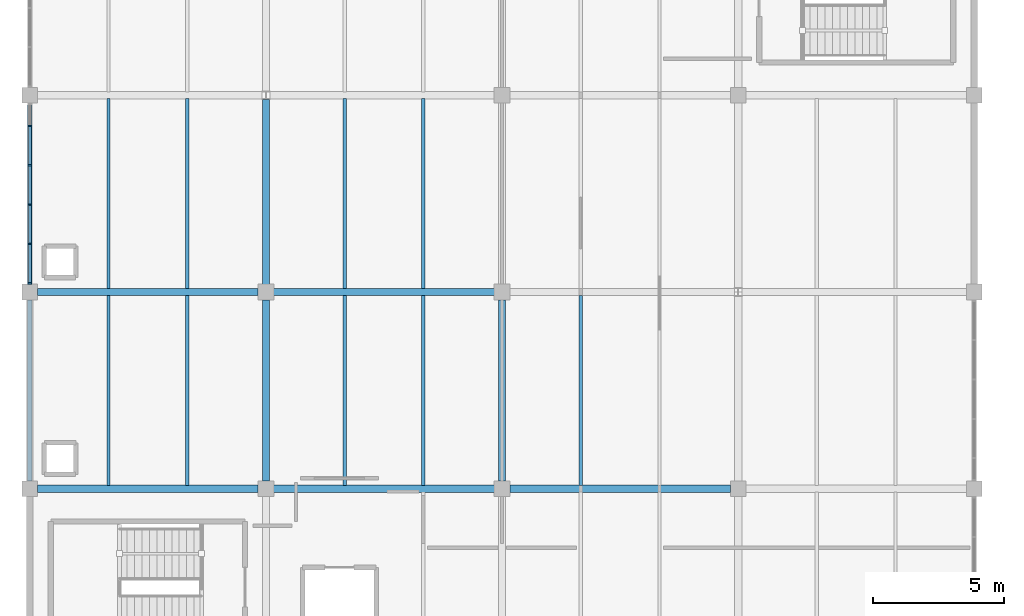
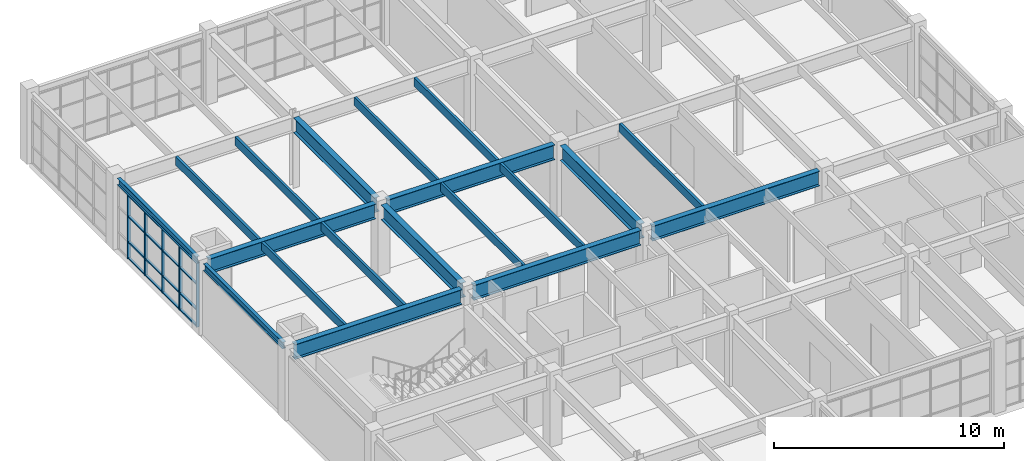
# One storey, part 32 of 76: 21 members, 19 beams, 1 element without a shape of its own.
"""IFC4 building model written with IfcOpenShell, lengths in metres."""

from ifc_helpers import new_model, si_unit, direction, frame, origin, origin_2d, place, context, subcontext, project, spatial, rectangle, i_section, extrude, material, layer, layer_set, material_profile, profile_set, type_object, element, aggregate, save


model = new_model("IFC4")

# Units and contexts
model_context = context("Model", 3, precision=1e-05, world=origin(), true_north=direction((0.0, 1.0)))
body_context = subcontext(model_context, "Body", "Model", "MODEL_VIEW")
ifc_project = project(units=[si_unit("LENGTHUNIT", "METRE"), si_unit("AREAUNIT", "SQUARE_METRE"), si_unit("VOLUMEUNIT", "CUBIC_METRE"), si_unit("PLANEANGLEUNIT", "RADIAN"), si_unit("MASSUNIT", "GRAM", prefix="KILO")], contexts=[model_context])

# Site, building, storey
site_placement = place(None, origin())
site = spatial("IfcSite", under=ifc_project, at=site_placement, CompositionType="ELEMENT")
building_placement = place(site_placement, origin())
building = spatial("IfcBuilding", under=site, at=building_placement, Name="Marnridge Secondary College", CompositionType="ELEMENT")
storey_placement = place(building_placement, frame((0.0, 0.0, 4.5)))
storey = spatial("IfcBuildingStorey", under=building, at=storey_placement, Name="L01", CompositionType="ELEMENT", Elevation=4.5)

# Beams
ifc_material_1 = material(Name="Engineered timber LVL E13.2", Category="wood")
ifc_material_profile_1 = material_profile(ifc_material_1, rectangle(XDim=0.1259765625, YDim=0.449951171875, at=origin_2d()), Name="LVL 126x450")
ifc_profile_set_1 = profile_set([ifc_material_profile_1], Name="Engineered timber LVL E13.2")
beam_type_1 = type_object("IfcBeamType", Name="BM-LVL450-INT", PredefinedType="JOIST", material=ifc_profile_set_1)
for number, where, z_axis, x_axis, name in (
    (1, (3.0, 97.631591796875, 3.534912109375), (0.0, 1.0, 0.0), (-1.0, 0.0, 0.0), "Beam BJ-L01-0618"),
    (2, (6.0, 97.631591796875, 3.534912109375), (0.0, 1.0, 0.0), (-1.0, 0.0, 0.0), "Beam BJ-L01-0619"),
    (3, (3.0, 105.131591796875, 3.534912109375), (0.0, 1.0, 0.0), (-1.0, 0.0, 0.0), "Beam BJ-L01-0620"),
    (4, (6.0, 105.131591796875, 3.534912109375), (0.0, 1.0, 0.0), (-1.0, 0.0, 0.0), "Beam BJ-L01-0621"),
    (5, (12.0, 97.631591796875, 3.534912109375), (0.0, 1.0, 0.0), (-1.0, 0.0, 0.0), "Beam BJ-L01-0627"),
    (6, (15.0, 97.631591796875, 3.534912109375), (0.0, 1.0, 0.0), (-1.0, 0.0, 0.0), "Beam BJ-L01-0628"),
    (7, (12.0, 105.131591796875, 3.534912109375), (0.0, 1.0, 0.0), (-1.0, 0.0, 0.0), "Beam BJ-L01-0629"),
    (8, (15.0, 105.131591796875, 3.534912109375), (0.0, 1.0, 0.0), (-1.0, 0.0, 0.0), "Beam BJ-L01-0630"),
    (9, (21.0, 97.631591796875, 3.534912109375), (0.0, 1.0, 0.0), (-1.0, 0.0, 0.0), "Beam BJ-L01-0637"),
):
    element("IfcBeam", number, at=place(storey_placement, frame(where, z_axis=z_axis, x_axis=x_axis)), inside=storey, type_object=beam_type_1, Name=name, PredefinedType="JOIST", context=body_context, shape_type="SweptSolid", body=[
        extrude(rectangle(XDim=0.1259765625, YDim=0.449951171875, at=origin_2d()), origin(), (0.0, 0.0, 1.0), 7.23681640625),
    ])
ifc_material_2 = material(Name="Structural steel Grade 350 (AS/NZS 3679.1/.2, fy = 340-360 MPa)", Category="steel")
ifc_material_profile_2 = material_profile(ifc_material_2, i_section(OverallWidth=0.1708984375, OverallDepth=0.35205078125, WebThickness=0.0068359375, FlangeThickness=0.009765625, FilletRadius=0.011474609375, at=origin_2d()), Name="360UB44.7")
ifc_profile_set_2 = profile_set([ifc_material_profile_2], Name="Structural steel Grade 350 (AS/NZS 3679.1/.2, fy = 340-360 MPa)")
beam_type_2 = type_object("IfcBeamType", Name="BM-UB360-EXT", PredefinedType="SPANDREL", material=ifc_profile_set_2)
for number, where, z_axis, x_axis, name in (
    (10, (0.0, 97.7939453125, 3.583984375), (0.0, 1.0, 0.0), (-1.0, 0.0, 0.0), "Beam BS-L01-0570"),
    (11, (0.0, 105.2939453125, 3.583984375), (0.0, 1.0, 0.0), (-1.0, 0.0, 0.0), "Beam BS-L01-0573"),
):
    element("IfcBeam", number, at=place(storey_placement, frame(where, z_axis=z_axis, x_axis=x_axis)), inside=storey, type_object=beam_type_2, Name=name, PredefinedType="SPANDREL", context=body_context, shape_type="SweptSolid", body=[
        extrude(i_section(OverallWidth=0.1708984375, OverallDepth=0.35205078125, WebThickness=0.0068359375, FlangeThickness=0.009765625, FilletRadius=0.011474609375, at=origin_2d()), origin(), (0.0, 0.0, 1.0), 6.912109375),
    ])
ifc_material_3 = material(Name="Structural steel Grade 350 (AS/NZS 3679.1/.2, fy = 340-360 MPa)", Category="steel")
ifc_material_profile_3 = material_profile(ifc_material_3, i_section(OverallWidth=0.27490234375, OverallDepth=0.7919921875, WebThickness=0.010009765625, FlangeThickness=0.02001953125, at=origin_2d()), Name="800WB146")
ifc_profile_set_3 = profile_set([ifc_material_profile_3], Name="Structural steel Grade 350 (AS/NZS 3679.1/.2, fy = 340-360 MPa)")
beam_type_3 = type_object("IfcBeamType", Name="BM-WB800-INT", PredefinedType="BEAM", material=ifc_profile_set_3)
for number, where, z_axis, x_axis, name in (
    (12, (0.2939453125, 97.5, 3.364013671875), (1.0, 0.0, 0.0), (0.0, 1.0, 0.0), "Beam B-L01-0566"),
    (13, (0.2939453125, 105.0, 3.364013671875), (1.0, 0.0, 0.0), (0.0, 1.0, 0.0), "Beam B-L01-0569"),
):
    element("IfcBeam", number, at=place(storey_placement, frame(where, z_axis=z_axis, x_axis=x_axis)), inside=storey, type_object=beam_type_3, Name=name, PredefinedType="BEAM", context=body_context, shape_type="SweptSolid", body=[
        extrude(i_section(OverallWidth=0.27490234375, OverallDepth=0.7919921875, WebThickness=0.010009765625, FlangeThickness=0.02001953125, at=origin_2d()), origin(), (0.0, 0.0, 1.0), 8.412109375),
    ])
beam_1_placement = place(storey_placement, frame((9.0, 97.7939453125, 3.364013671875), z_axis=(0.0, 1.0, 0.0), x_axis=(-1.0, 0.0, 0.0)))
element("IfcBeam", 14, at=beam_1_placement, inside=storey, type_object=beam_type_3, Name="Beam B-L01-0571", PredefinedType="BEAM", context=body_context, shape_type="SweptSolid", body=[
    extrude(i_section(OverallWidth=0.27490234375, OverallDepth=0.7919921875, WebThickness=0.010009765625, FlangeThickness=0.02001953125, at=origin_2d()), origin(), (0.0, 0.0, 1.0), 6.912109375),
])
beam_2_placement = place(storey_placement, frame((9.0, 105.2939453125, 3.364013671875), z_axis=(0.0, 1.0, 0.0), x_axis=(-1.0, 0.0, 0.0)))
element("IfcBeam", 15, at=beam_2_placement, inside=storey, type_object=beam_type_3, Name="Beam B-L01-0574", PredefinedType="BEAM", context=body_context, shape_type="SweptSolid", body=[
    extrude(i_section(OverallWidth=0.27490234375, OverallDepth=0.7919921875, WebThickness=0.010009765625, FlangeThickness=0.02001953125, at=origin_2d()), origin(), (0.0, 0.0, 1.0), 7.0517578125),
])
for number, where, z_axis, x_axis, name in (
    (16, (9.2939453125, 97.5, 3.364013671875), (1.0, 0.0, 0.0), (0.0, 1.0, 0.0), "Beam B-L01-0581"),
    (17, (9.2939453125, 105.0, 3.364013671875), (1.0, 0.0, 0.0), (0.0, 1.0, 0.0), "Beam B-L01-0583"),
):
    element("IfcBeam", number, at=place(storey_placement, frame(where, z_axis=z_axis, x_axis=x_axis)), inside=storey, type_object=beam_type_3, Name=name, PredefinedType="BEAM", context=body_context, shape_type="SweptSolid", body=[
        extrude(i_section(OverallWidth=0.27490234375, OverallDepth=0.7919921875, WebThickness=0.010009765625, FlangeThickness=0.02001953125, at=origin_2d()), origin(), (0.0, 0.0, 1.0), 8.412109375),
    ])
beam_3_placement = place(storey_placement, frame((18.0, 97.7939453125, 3.364013671875), z_axis=(0.0, 1.0, 0.0), x_axis=(-1.0, 0.0, 0.0)))
element("IfcBeam", 18, at=beam_3_placement, inside=storey, type_object=beam_type_3, Name="Beam B-L01-0584", PredefinedType="BEAM", context=body_context, shape_type="SweptSolid", body=[
    extrude(i_section(OverallWidth=0.27490234375, OverallDepth=0.7919921875, WebThickness=0.010009765625, FlangeThickness=0.02001953125, at=origin_2d()), origin(), (0.0, 0.0, 1.0), 6.912109375),
])
beam_4_placement = place(storey_placement, frame((18.2939453125, 97.5, 3.364013671875), z_axis=(1.0, 0.0, 0.0), x_axis=(0.0, 1.0, 0.0)))
element("IfcBeam", 19, at=beam_4_placement, inside=storey, type_object=beam_type_3, Name="Beam B-L01-0592", PredefinedType="BEAM", context=body_context, shape_type="SweptSolid", body=[
    extrude(i_section(OverallWidth=0.27490234375, OverallDepth=0.7919921875, WebThickness=0.010009765625, FlangeThickness=0.02001953125, at=origin_2d()), origin(), (0.0, 0.0, 1.0), 8.412109375),
])

# Curtain wall, members
ifc_material_4 = material(Name="Thermally broken aluminium and low-E glazing", Category="aluminium")
ifc_layer = layer(ifc_material_4, 0.159912109375)
ifc_layer_set = layer_set([ifc_layer], Name="CW-MOD-1500")
curtain_wall_type = type_object("IfcCurtainWallType", Name="CW-MOD-1500", PredefinedType="NOTDEFINED", material=ifc_layer_set)
curtain_wall_placement = place(storey_placement, origin())
curtain_wall = element("IfcCurtainWall", 20, at=curtain_wall_placement, inside=storey, type_object=curtain_wall_type, Name="Unitised curtain wall CW-L01-057", PredefinedType="NOTDEFINED")
ifc_material_5 = material(Name="Anodised aluminium 6063-T6", Category="aluminium")
ifc_material_profile_4 = material_profile(ifc_material_5, rectangle(XDim=0.06005859375, YDim=0.159912109375, at=origin_2d()), Name="ALU 60x160")
ifc_profile_set_4 = profile_set([ifc_material_profile_4], Name="Anodised aluminium 6063-T6")
member_type_1 = type_object("IfcMemberType", Name="CWM-ALU160", PredefinedType="MULLION", material=ifc_profile_set_4)
member_1_placement = place(storey_placement, frame((0.0, 105.333984375, 0.0), z_axis=(0.0, 0.0, 1.0), x_axis=(0.0, 1.0, 0.0)))
member_1 = element("IfcMember", 21, at=member_1_placement, type_object=member_type_1, Name="CW-L01-057 mullion 1", PredefinedType="MULLION", context=body_context, shape_type="SweptSolid", body=[
    extrude(rectangle(XDim=0.06005859375, YDim=0.159912109375, at=origin_2d()), origin(), (0.0, 0.0, 1.0), 3.39990234375),
])
member_2_placement = place(storey_placement, frame((0.0, 106.833984375, 0.0), z_axis=(0.0, 0.0, 1.0), x_axis=(0.0, 1.0, 0.0)))
member_2 = element("IfcMember", 22, at=member_2_placement, type_object=member_type_1, Name="CW-L01-057 mullion 2", PredefinedType="MULLION", context=body_context, shape_type="SweptSolid", body=[
    extrude(rectangle(XDim=0.06005859375, YDim=0.159912109375, at=origin_2d()), origin(), (0.0, 0.0, 1.0), 3.39990234375),
])
member_3_placement = place(storey_placement, frame((0.0, 108.333984375, 0.0), z_axis=(0.0, 0.0, 1.0), x_axis=(0.0, 1.0, 0.0)))
member_3 = element("IfcMember", 23, at=member_3_placement, type_object=member_type_1, Name="CW-L01-057 mullion 3", PredefinedType="MULLION", context=body_context, shape_type="SweptSolid", body=[
    extrude(rectangle(XDim=0.06005859375, YDim=0.159912109375, at=origin_2d()), origin(), (0.0, 0.0, 1.0), 3.39990234375),
])
member_4_placement = place(storey_placement, frame((0.0, 109.833984375, 0.0), z_axis=(0.0, 0.0, 1.0), x_axis=(0.0, 1.0, 0.0)))
member_4 = element("IfcMember", 24, at=member_4_placement, type_object=member_type_1, Name="CW-L01-057 mullion 4", PredefinedType="MULLION", context=body_context, shape_type="SweptSolid", body=[
    extrude(rectangle(XDim=0.06005859375, YDim=0.159912109375, at=origin_2d()), origin(), (0.0, 0.0, 1.0), 3.39990234375),
])
member_5_placement = place(storey_placement, frame((0.0, 111.333984375, 0.0), z_axis=(0.0, 0.0, 1.0), x_axis=(0.0, 1.0, 0.0)))
member_5 = element("IfcMember", 25, at=member_5_placement, type_object=member_type_1, Name="CW-L01-057 mullion 5", PredefinedType="MULLION", context=body_context, shape_type="SweptSolid", body=[
    extrude(rectangle(XDim=0.06005859375, YDim=0.159912109375, at=origin_2d()), origin(), (0.0, 0.0, 1.0), 3.39990234375),
])
ifc_material_6 = material(Name="Anodised aluminium 6063-T6", Category="aluminium")
ifc_material_profile_5 = material_profile(ifc_material_6, rectangle(XDim=0.06005859375, YDim=0.1201171875, at=origin_2d()), Name="ALU 60x120")
ifc_profile_set_5 = profile_set([ifc_material_profile_5], Name="Anodised aluminium 6063-T6")
member_type_2 = type_object("IfcMemberType", Name="CWT-ALU120", PredefinedType="USERDEFINED", material=ifc_profile_set_5)
member_6_placement = place(storey_placement, frame((0.0, 105.364013671875, 0.030029296875), z_axis=(0.0, 1.0, 0.0), x_axis=(0.0, 0.0, 1.0)))
member_6 = element("IfcMember", 26, at=member_6_placement, type_object=member_type_2, Name="CW-L01-057 transom 1.1", ObjectType="TRANSOM", PredefinedType="USERDEFINED", context=body_context, shape_type="SweptSolid", body=[
    extrude(rectangle(XDim=0.06005859375, YDim=0.1201171875, at=origin_2d()), origin(), (0.0, 0.0, 1.0), 1.43994140625),
])
member_7_placement = place(storey_placement, frame((0.0, 105.364013671875, 0.89990234375), z_axis=(0.0, 1.0, 0.0), x_axis=(0.0, 0.0, 1.0)))
member_7 = element("IfcMember", 27, at=member_7_placement, type_object=member_type_2, Name="CW-L01-057 transom 1.2", ObjectType="TRANSOM", PredefinedType="USERDEFINED", context=body_context, shape_type="SweptSolid", body=[
    extrude(rectangle(XDim=0.06005859375, YDim=0.1201171875, at=origin_2d()), origin(), (0.0, 0.0, 1.0), 1.43994140625),
])
member_8_placement = place(storey_placement, frame((0.0, 105.364013671875, 2.25), z_axis=(0.0, 1.0, 0.0), x_axis=(0.0, 0.0, 1.0)))
member_8 = element("IfcMember", 28, at=member_8_placement, type_object=member_type_2, Name="CW-L01-057 transom 1.3", ObjectType="TRANSOM", PredefinedType="USERDEFINED", context=body_context, shape_type="SweptSolid", body=[
    extrude(rectangle(XDim=0.06005859375, YDim=0.1201171875, at=origin_2d()), origin(), (0.0, 0.0, 1.0), 1.43994140625),
])
member_9_placement = place(storey_placement, frame((0.0, 105.364013671875, 3.3701171875), z_axis=(0.0, 1.0, 0.0), x_axis=(0.0, 0.0, 1.0)))
member_9 = element("IfcMember", 29, at=member_9_placement, type_object=member_type_2, Name="CW-L01-057 transom 1.4", ObjectType="TRANSOM", PredefinedType="USERDEFINED", context=body_context, shape_type="SweptSolid", body=[
    extrude(rectangle(XDim=0.06005859375, YDim=0.1201171875, at=origin_2d()), origin(), (0.0, 0.0, 1.0), 1.43994140625),
])
member_10_placement = place(storey_placement, frame((0.0, 106.864013671875, 0.030029296875), z_axis=(0.0, 1.0, 0.0), x_axis=(0.0, 0.0, 1.0)))
member_10 = element("IfcMember", 30, at=member_10_placement, type_object=member_type_2, Name="CW-L01-057 transom 2.1", ObjectType="TRANSOM", PredefinedType="USERDEFINED", context=body_context, shape_type="SweptSolid", body=[
    extrude(rectangle(XDim=0.06005859375, YDim=0.1201171875, at=origin_2d()), origin(), (0.0, 0.0, 1.0), 1.43994140625),
])
member_11_placement = place(storey_placement, frame((0.0, 106.864013671875, 0.89990234375), z_axis=(0.0, 1.0, 0.0), x_axis=(0.0, 0.0, 1.0)))
member_11 = element("IfcMember", 31, at=member_11_placement, type_object=member_type_2, Name="CW-L01-057 transom 2.2", ObjectType="TRANSOM", PredefinedType="USERDEFINED", context=body_context, shape_type="SweptSolid", body=[
    extrude(rectangle(XDim=0.06005859375, YDim=0.1201171875, at=origin_2d()), origin(), (0.0, 0.0, 1.0), 1.43994140625),
])
member_12_placement = place(storey_placement, frame((0.0, 106.864013671875, 2.25), z_axis=(0.0, 1.0, 0.0), x_axis=(0.0, 0.0, 1.0)))
member_12 = element("IfcMember", 32, at=member_12_placement, type_object=member_type_2, Name="CW-L01-057 transom 2.3", ObjectType="TRANSOM", PredefinedType="USERDEFINED", context=body_context, shape_type="SweptSolid", body=[
    extrude(rectangle(XDim=0.06005859375, YDim=0.1201171875, at=origin_2d()), origin(), (0.0, 0.0, 1.0), 1.43994140625),
])
member_13_placement = place(storey_placement, frame((0.0, 106.864013671875, 3.3701171875), z_axis=(0.0, 1.0, 0.0), x_axis=(0.0, 0.0, 1.0)))
member_13 = element("IfcMember", 33, at=member_13_placement, type_object=member_type_2, Name="CW-L01-057 transom 2.4", ObjectType="TRANSOM", PredefinedType="USERDEFINED", context=body_context, shape_type="SweptSolid", body=[
    extrude(rectangle(XDim=0.06005859375, YDim=0.1201171875, at=origin_2d()), origin(), (0.0, 0.0, 1.0), 1.43994140625),
])
member_14_placement = place(storey_placement, frame((0.0, 108.364013671875, 0.030029296875), z_axis=(0.0, 1.0, 0.0), x_axis=(0.0, 0.0, 1.0)))
member_14 = element("IfcMember", 34, at=member_14_placement, type_object=member_type_2, Name="CW-L01-057 transom 3.1", ObjectType="TRANSOM", PredefinedType="USERDEFINED", context=body_context, shape_type="SweptSolid", body=[
    extrude(rectangle(XDim=0.06005859375, YDim=0.1201171875, at=origin_2d()), origin(), (0.0, 0.0, 1.0), 1.43994140625),
])
member_15_placement = place(storey_placement, frame((0.0, 108.364013671875, 0.89990234375), z_axis=(0.0, 1.0, 0.0), x_axis=(0.0, 0.0, 1.0)))
member_15 = element("IfcMember", 35, at=member_15_placement, type_object=member_type_2, Name="CW-L01-057 transom 3.2", ObjectType="TRANSOM", PredefinedType="USERDEFINED", context=body_context, shape_type="SweptSolid", body=[
    extrude(rectangle(XDim=0.06005859375, YDim=0.1201171875, at=origin_2d()), origin(), (0.0, 0.0, 1.0), 1.43994140625),
])
member_16_placement = place(storey_placement, frame((0.0, 108.364013671875, 2.25), z_axis=(0.0, 1.0, 0.0), x_axis=(0.0, 0.0, 1.0)))
member_16 = element("IfcMember", 36, at=member_16_placement, type_object=member_type_2, Name="CW-L01-057 transom 3.3", ObjectType="TRANSOM", PredefinedType="USERDEFINED", context=body_context, shape_type="SweptSolid", body=[
    extrude(rectangle(XDim=0.06005859375, YDim=0.1201171875, at=origin_2d()), origin(), (0.0, 0.0, 1.0), 1.43994140625),
])
member_17_placement = place(storey_placement, frame((0.0, 108.364013671875, 3.3701171875), z_axis=(0.0, 1.0, 0.0), x_axis=(0.0, 0.0, 1.0)))
member_17 = element("IfcMember", 37, at=member_17_placement, type_object=member_type_2, Name="CW-L01-057 transom 3.4", ObjectType="TRANSOM", PredefinedType="USERDEFINED", context=body_context, shape_type="SweptSolid", body=[
    extrude(rectangle(XDim=0.06005859375, YDim=0.1201171875, at=origin_2d()), origin(), (0.0, 0.0, 1.0), 1.43994140625),
])
member_18_placement = place(storey_placement, frame((0.0, 109.864013671875, 0.030029296875), z_axis=(0.0, 1.0, 0.0), x_axis=(0.0, 0.0, 1.0)))
member_18 = element("IfcMember", 38, at=member_18_placement, type_object=member_type_2, Name="CW-L01-057 transom 4.1", ObjectType="TRANSOM", PredefinedType="USERDEFINED", context=body_context, shape_type="SweptSolid", body=[
    extrude(rectangle(XDim=0.06005859375, YDim=0.1201171875, at=origin_2d()), origin(), (0.0, 0.0, 1.0), 1.43994140625),
])
member_19_placement = place(storey_placement, frame((0.0, 109.864013671875, 0.89990234375), z_axis=(0.0, 1.0, 0.0), x_axis=(0.0, 0.0, 1.0)))
member_19 = element("IfcMember", 39, at=member_19_placement, type_object=member_type_2, Name="CW-L01-057 transom 4.2", ObjectType="TRANSOM", PredefinedType="USERDEFINED", context=body_context, shape_type="SweptSolid", body=[
    extrude(rectangle(XDim=0.06005859375, YDim=0.1201171875, at=origin_2d()), origin(), (0.0, 0.0, 1.0), 1.43994140625),
])
member_20_placement = place(storey_placement, frame((0.0, 109.864013671875, 2.25), z_axis=(0.0, 1.0, 0.0), x_axis=(0.0, 0.0, 1.0)))
member_20 = element("IfcMember", 40, at=member_20_placement, type_object=member_type_2, Name="CW-L01-057 transom 4.3", ObjectType="TRANSOM", PredefinedType="USERDEFINED", context=body_context, shape_type="SweptSolid", body=[
    extrude(rectangle(XDim=0.06005859375, YDim=0.1201171875, at=origin_2d()), origin(), (0.0, 0.0, 1.0), 1.43994140625),
])
member_21_placement = place(storey_placement, frame((0.0, 109.864013671875, 3.3701171875), z_axis=(0.0, 1.0, 0.0), x_axis=(0.0, 0.0, 1.0)))
member_21 = element("IfcMember", 41, at=member_21_placement, type_object=member_type_2, Name="CW-L01-057 transom 4.4", ObjectType="TRANSOM", PredefinedType="USERDEFINED", context=body_context, shape_type="SweptSolid", body=[
    extrude(rectangle(XDim=0.06005859375, YDim=0.1201171875, at=origin_2d()), origin(), (0.0, 0.0, 1.0), 1.43994140625),
])
aggregate(curtain_wall, [member_1, member_2, member_3, member_4, member_5, member_6, member_7, member_8, member_9, member_10, member_11, member_12, member_13, member_14, member_15, member_16, member_17, member_18, member_19, member_20, member_21])

save(model, "model.ifc")
